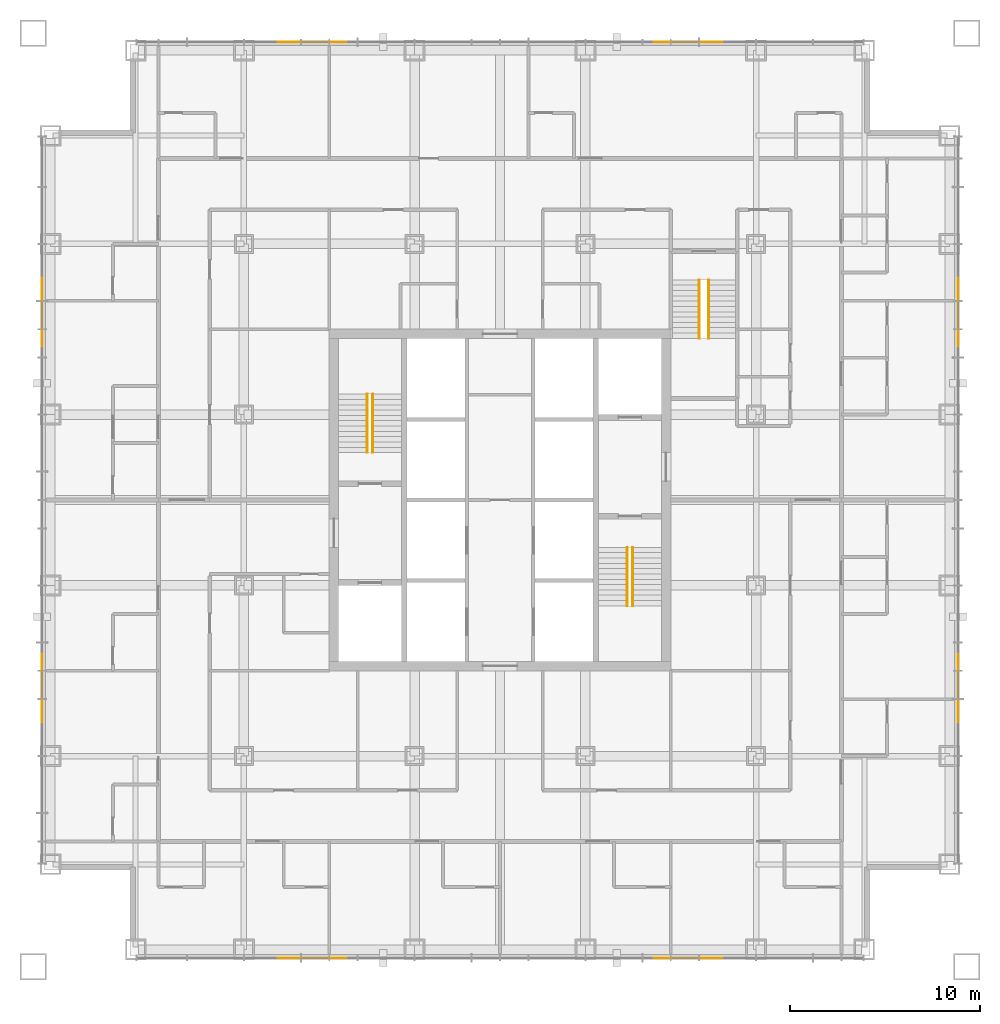
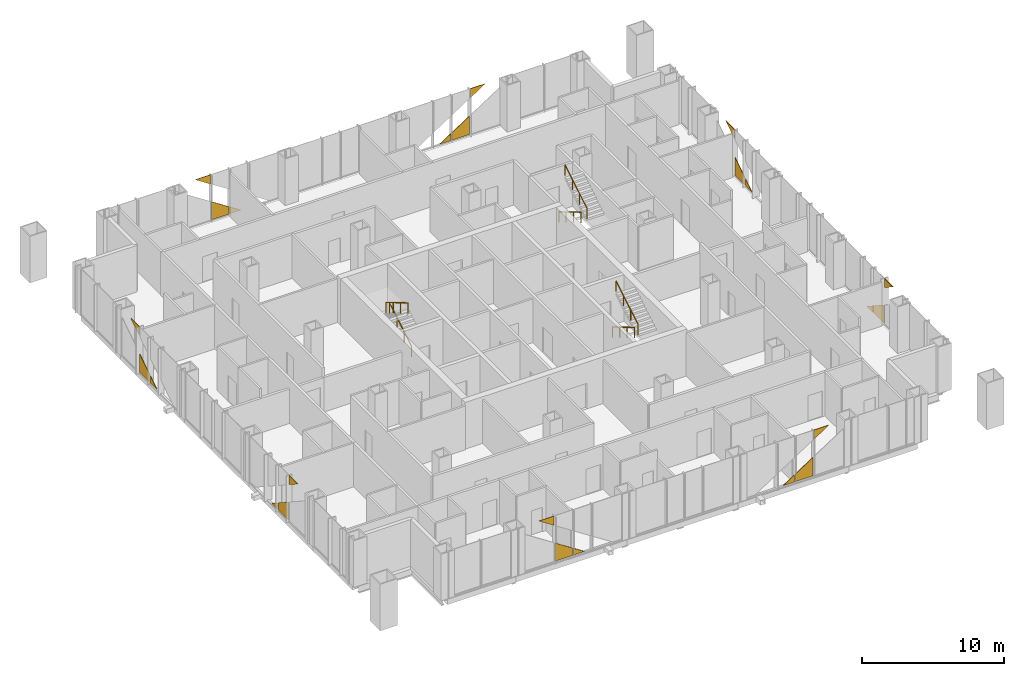
# One storey, part 13 of 13: 24 coverings, 6 railings.
"""IFC4 building model written with IfcOpenShell, lengths in metres."""

from ifc_helpers import new_model, si_unit, direction, frame, origin, origin_2d, place, context, subcontext, project, spatial, polyline, circle, outline, extrude, material, layer, layer_set, type_object, element, save


model = new_model("IFC4")

# Units and contexts
model_context = context("Model", 3, precision=1e-05, world=origin(), true_north=direction((0.0, 1.0)))
body_context = subcontext(model_context, "Body", "Model", "MODEL_VIEW")
ifc_project = project(units=[si_unit("LENGTHUNIT", "METRE"), si_unit("AREAUNIT", "SQUARE_METRE"), si_unit("VOLUMEUNIT", "CUBIC_METRE"), si_unit("PLANEANGLEUNIT", "RADIAN"), si_unit("MASSUNIT", "GRAM", prefix="KILO")], contexts=[model_context])

# Site, building, storey
site_placement = place(None, origin())
site = spatial("IfcSite", under=ifc_project, at=site_placement, CompositionType="ELEMENT")
building_placement = place(site_placement, origin())
building = spatial("IfcBuilding", under=site, at=building_placement, Name="Malebo Sky Hospital", CompositionType="ELEMENT")
storey_placement = place(building_placement, frame((0.0, 0.0, 160.0)))
storey = spatial("IfcBuildingStorey", under=building, at=storey_placement, Name="L38", CompositionType="ELEMENT", Elevation=160.0)

# Coverings
ifc_material_1 = material(Name="Anodised aluminium, natural silver insulated infill panel", Category="aluminium")
ifc_layer = layer(ifc_material_1, 0.0400390625)
ifc_layer_set = layer_set([ifc_layer], Name="BRACE INFILL PANEL 40")
covering_type = type_object("IfcCoveringType", Name="BRACE INFILL PANEL 40", PredefinedType="CLADDING", material=ifc_layer_set)
covering_1_placement = place(storey_placement, frame((48.85498046875, 86.135009765625, 3.199951171875), z_axis=(0.0, 0.0, 1.0), x_axis=(1.0, 0.0, 0.0)))
element("IfcCovering", 1, at=covering_1_placement, inside=storey, type_object=covering_type, Name="Brace infill panel 4.1", PredefinedType="CLADDING", context=body_context, shape_type="SweptSolid", body=[
    extrude(outline(polyline([(0.607421875, 0.0), (0.607421875, 0.7900390625), (-0.607421875, 0.7900390625), (0.607421875, 0.0)])), frame((0.0, 0.02001953125, 0.0), z_axis=(0.0, -1.0, 0.0), x_axis=(1.0, 0.0, 0.0)), (0.0, 0.0, 1.0), 0.0400390625),
])
covering_2_placement = place(storey_placement, frame((50.25, 86.135009765625, 0.10009765625), z_axis=(0.0, 0.0, 1.0), x_axis=(1.0, 0.0, 0.0)))
element("IfcCovering", 2, at=covering_2_placement, inside=storey, type_object=covering_type, Name="Brace infill panel 5.1", PredefinedType="CLADDING", context=body_context, shape_type="SweptSolid", body=[
    extrude(outline(polyline([(-0.71240234375, 0.0), (0.71240234375, 0.0), (0.71240234375, 0.632080078125), (-0.71240234375, 1.558837890625), (-0.71240234375, 0.0)])), frame((0.0, 0.02001953125, 0.0), z_axis=(0.0, -1.0, 0.0), x_axis=(1.0, 0.0, 0.0)), (0.0, 0.0, 1.0), 0.0400390625),
])
covering_3_placement = place(storey_placement, frame((51.48583984375, 86.135009765625, 0.10009765625), z_axis=(0.0, 0.0, 1.0), x_axis=(1.0, 0.0, 0.0)))
element("IfcCovering", 3, at=covering_3_placement, inside=storey, type_object=covering_type, Name="Brace infill panel 6.1", PredefinedType="CLADDING", context=body_context, shape_type="SweptSolid", body=[
    extrude(outline(polyline([(-0.4482421875, 0.0), (0.4482421875, 0.0), (-0.4482421875, 0.583251953125), (-0.4482421875, 0.0)])), frame((0.0, 0.02001953125, 0.0), z_axis=(0.0, -1.0, 0.0), x_axis=(1.0, 0.0, 0.0)), (0.0, 0.0, 1.0), 0.0400390625),
])
covering_4_placement = place(storey_placement, frame((68.51416015625, 86.135009765625, 0.10009765625), z_axis=(0.0, 0.0, 1.0), x_axis=(1.0, 0.0, 0.0)))
element("IfcCovering", 4, at=covering_4_placement, inside=storey, type_object=covering_type, Name="Brace infill panel 13.1", PredefinedType="CLADDING", context=body_context, shape_type="SweptSolid", body=[
    extrude(outline(polyline([(-0.4482421875, 0.0), (0.4482421875, 0.0), (0.4482421875, 0.583251953125), (-0.4482421875, 0.0)])), frame((0.0, 0.02001953125, 0.0), z_axis=(0.0, -1.0, 0.0), x_axis=(1.0, 0.0, 0.0)), (0.0, 0.0, 1.0), 0.0400390625),
])
covering_5_placement = place(storey_placement, frame((69.75, 86.135009765625, 0.10009765625), z_axis=(0.0, 0.0, 1.0), x_axis=(1.0, 0.0, 0.0)))
element("IfcCovering", 5, at=covering_5_placement, inside=storey, type_object=covering_type, Name="Brace infill panel 14.1", PredefinedType="CLADDING", context=body_context, shape_type="SweptSolid", body=[
    extrude(outline(polyline([(-0.71240234375, 0.0), (0.71240234375, 0.0), (0.71240234375, 1.558837890625), (-0.71240234375, 0.632080078125), (-0.71240234375, 0.0)])), frame((0.0, 0.02001953125, 0.0), z_axis=(0.0, -1.0, 0.0), x_axis=(1.0, 0.0, 0.0)), (0.0, 0.0, 1.0), 0.0400390625),
])
covering_6_placement = place(storey_placement, frame((71.14501953125, 86.135009765625, 3.199951171875), z_axis=(0.0, 0.0, 1.0), x_axis=(1.0, 0.0, 0.0)))
element("IfcCovering", 6, at=covering_6_placement, inside=storey, type_object=covering_type, Name="Brace infill panel 15.1", PredefinedType="CLADDING", context=body_context, shape_type="SweptSolid", body=[
    extrude(outline(polyline([(-0.607421875, 0.0), (0.607421875, 0.7900390625), (-0.607421875, 0.7900390625), (-0.607421875, 0.0)])), frame((0.0, 0.02001953125, 0.0), z_axis=(0.0, -1.0, 0.0), x_axis=(1.0, 0.0, 0.0)), (0.0, 0.0, 1.0), 0.0400390625),
])
covering_7_placement = place(storey_placement, frame((35.864990234375, 50.85498046875, 3.199951171875), z_axis=(0.0, 0.0, 1.0), x_axis=(0.0, 1.0, 0.0)))
element("IfcCovering", 7, at=covering_7_placement, inside=storey, type_object=covering_type, Name="Brace infill panel 4.1", PredefinedType="CLADDING", context=body_context, shape_type="SweptSolid", body=[
    extrude(outline(polyline([(0.607421875, 0.0), (0.607421875, 0.7900390625), (-0.607421875, 0.7900390625), (0.607421875, 0.0)])), frame((0.0, 0.02001953125, 0.0), z_axis=(0.0, -1.0, 0.0), x_axis=(1.0, 0.0, 0.0)), (0.0, 0.0, 1.0), 0.0400390625),
])
covering_8_placement = place(storey_placement, frame((35.864990234375, 52.25, 0.10009765625), z_axis=(0.0, 0.0, 1.0), x_axis=(0.0, 1.0, 0.0)))
element("IfcCovering", 8, at=covering_8_placement, inside=storey, type_object=covering_type, Name="Brace infill panel 5.1", PredefinedType="CLADDING", context=body_context, shape_type="SweptSolid", body=[
    extrude(outline(polyline([(-0.71240234375, 0.0), (0.71240234375, 0.0), (0.71240234375, 0.632080078125), (-0.71240234375, 1.558837890625), (-0.71240234375, 0.0)])), frame((0.0, 0.02001953125, 0.0), z_axis=(0.0, -1.0, 0.0), x_axis=(1.0, 0.0, 0.0)), (0.0, 0.0, 1.0), 0.0400390625),
])
covering_9_placement = place(storey_placement, frame((35.864990234375, 53.48583984375, 0.10009765625), z_axis=(0.0, 0.0, 1.0), x_axis=(0.0, 1.0, 0.0)))
element("IfcCovering", 9, at=covering_9_placement, inside=storey, type_object=covering_type, Name="Brace infill panel 6.1", PredefinedType="CLADDING", context=body_context, shape_type="SweptSolid", body=[
    extrude(outline(polyline([(-0.4482421875, 0.0), (0.4482421875, 0.0), (-0.4482421875, 0.583251953125), (-0.4482421875, 0.0)])), frame((0.0, 0.02001953125, 0.0), z_axis=(0.0, -1.0, 0.0), x_axis=(1.0, 0.0, 0.0)), (0.0, 0.0, 1.0), 0.0400390625),
])
covering_10_placement = place(storey_placement, frame((35.864990234375, 70.51416015625, 0.10009765625), z_axis=(0.0, 0.0, 1.0), x_axis=(0.0, 1.0, 0.0)))
element("IfcCovering", 10, at=covering_10_placement, inside=storey, type_object=covering_type, Name="Brace infill panel 13.1", PredefinedType="CLADDING", context=body_context, shape_type="SweptSolid", body=[
    extrude(outline(polyline([(-0.4482421875, 0.0), (0.4482421875, 0.0), (0.4482421875, 0.583251953125), (-0.4482421875, 0.0)])), frame((0.0, 0.02001953125, 0.0), z_axis=(0.0, -1.0, 0.0), x_axis=(1.0, 0.0, 0.0)), (0.0, 0.0, 1.0), 0.0400390625),
])
covering_11_placement = place(storey_placement, frame((35.864990234375, 71.75, 0.10009765625), z_axis=(0.0, 0.0, 1.0), x_axis=(0.0, 1.0, 0.0)))
element("IfcCovering", 11, at=covering_11_placement, inside=storey, type_object=covering_type, Name="Brace infill panel 14.1", PredefinedType="CLADDING", context=body_context, shape_type="SweptSolid", body=[
    extrude(outline(polyline([(-0.71240234375, 0.0), (0.71240234375, 0.0), (0.71240234375, 1.558837890625), (-0.71240234375, 0.632080078125), (-0.71240234375, 0.0)])), frame((0.0, 0.02001953125, 0.0), z_axis=(0.0, -1.0, 0.0), x_axis=(1.0, 0.0, 0.0)), (0.0, 0.0, 1.0), 0.0400390625),
])
covering_12_placement = place(storey_placement, frame((35.864990234375, 73.14501953125, 3.199951171875), z_axis=(0.0, 0.0, 1.0), x_axis=(0.0, 1.0, 0.0)))
element("IfcCovering", 12, at=covering_12_placement, inside=storey, type_object=covering_type, Name="Brace infill panel 15.1", PredefinedType="CLADDING", context=body_context, shape_type="SweptSolid", body=[
    extrude(outline(polyline([(-0.607421875, 0.0), (0.607421875, 0.7900390625), (-0.607421875, 0.7900390625), (-0.607421875, 0.0)])), frame((0.0, 0.02001953125, 0.0), z_axis=(0.0, -1.0, 0.0), x_axis=(1.0, 0.0, 0.0)), (0.0, 0.0, 1.0), 0.0400390625),
])
covering_13_placement = place(storey_placement, frame((71.14501953125, 37.864990234375, 3.199951171875), z_axis=(0.0, 0.0, 1.0), x_axis=(-1.0, 0.0, 0.0)))
element("IfcCovering", 13, at=covering_13_placement, inside=storey, type_object=covering_type, Name="Brace infill panel 4.1", PredefinedType="CLADDING", context=body_context, shape_type="SweptSolid", body=[
    extrude(outline(polyline([(0.607421875, 0.0), (0.607421875, 0.7900390625), (-0.607421875, 0.7900390625), (0.607421875, 0.0)])), frame((0.0, 0.02001953125, 0.0), z_axis=(0.0, -1.0, 0.0), x_axis=(1.0, 0.0, 0.0)), (0.0, 0.0, 1.0), 0.0400390625),
])
covering_14_placement = place(storey_placement, frame((69.75, 37.864990234375, 0.10009765625), z_axis=(0.0, 0.0, 1.0), x_axis=(-1.0, 0.0, 0.0)))
element("IfcCovering", 14, at=covering_14_placement, inside=storey, type_object=covering_type, Name="Brace infill panel 5.1", PredefinedType="CLADDING", context=body_context, shape_type="SweptSolid", body=[
    extrude(outline(polyline([(-0.71240234375, 0.0), (0.71240234375, 0.0), (0.71240234375, 0.632080078125), (-0.71240234375, 1.558837890625), (-0.71240234375, 0.0)])), frame((0.0, 0.02001953125, 0.0), z_axis=(0.0, -1.0, 0.0), x_axis=(1.0, 0.0, 0.0)), (0.0, 0.0, 1.0), 0.0400390625),
])
covering_15_placement = place(storey_placement, frame((68.51416015625, 37.864990234375, 0.10009765625), z_axis=(0.0, 0.0, 1.0), x_axis=(-1.0, 0.0, 0.0)))
element("IfcCovering", 15, at=covering_15_placement, inside=storey, type_object=covering_type, Name="Brace infill panel 6.1", PredefinedType="CLADDING", context=body_context, shape_type="SweptSolid", body=[
    extrude(outline(polyline([(-0.4482421875, 0.0), (0.4482421875, 0.0), (-0.4482421875, 0.583251953125), (-0.4482421875, 0.0)])), frame((0.0, 0.02001953125, 0.0), z_axis=(0.0, -1.0, 0.0), x_axis=(1.0, 0.0, 0.0)), (0.0, 0.0, 1.0), 0.0400390625),
])
covering_16_placement = place(storey_placement, frame((51.48583984375, 37.864990234375, 0.10009765625), z_axis=(0.0, 0.0, 1.0), x_axis=(-1.0, 0.0, 0.0)))
element("IfcCovering", 16, at=covering_16_placement, inside=storey, type_object=covering_type, Name="Brace infill panel 13.1", PredefinedType="CLADDING", context=body_context, shape_type="SweptSolid", body=[
    extrude(outline(polyline([(-0.4482421875, 0.0), (0.4482421875, 0.0), (0.4482421875, 0.583251953125), (-0.4482421875, 0.0)])), frame((0.0, 0.02001953125, 0.0), z_axis=(0.0, -1.0, 0.0), x_axis=(1.0, 0.0, 0.0)), (0.0, 0.0, 1.0), 0.0400390625),
])
covering_17_placement = place(storey_placement, frame((50.25, 37.864990234375, 0.10009765625), z_axis=(0.0, 0.0, 1.0), x_axis=(-1.0, 0.0, 0.0)))
element("IfcCovering", 17, at=covering_17_placement, inside=storey, type_object=covering_type, Name="Brace infill panel 14.1", PredefinedType="CLADDING", context=body_context, shape_type="SweptSolid", body=[
    extrude(outline(polyline([(-0.71240234375, 0.0), (0.71240234375, 0.0), (0.71240234375, 1.558837890625), (-0.71240234375, 0.632080078125), (-0.71240234375, 0.0)])), frame((0.0, 0.02001953125, 0.0), z_axis=(0.0, -1.0, 0.0), x_axis=(1.0, 0.0, 0.0)), (0.0, 0.0, 1.0), 0.0400390625),
])
covering_18_placement = place(storey_placement, frame((48.85498046875, 37.864990234375, 3.199951171875), z_axis=(0.0, 0.0, 1.0), x_axis=(-1.0, 0.0, 0.0)))
element("IfcCovering", 18, at=covering_18_placement, inside=storey, type_object=covering_type, Name="Brace infill panel 15.1", PredefinedType="CLADDING", context=body_context, shape_type="SweptSolid", body=[
    extrude(outline(polyline([(-0.607421875, 0.0), (0.607421875, 0.7900390625), (-0.607421875, 0.7900390625), (-0.607421875, 0.0)])), frame((0.0, 0.02001953125, 0.0), z_axis=(0.0, -1.0, 0.0), x_axis=(1.0, 0.0, 0.0)), (0.0, 0.0, 1.0), 0.0400390625),
])
covering_19_placement = place(storey_placement, frame((84.135009765625, 73.14501953125, 3.199951171875), z_axis=(0.0, 0.0, 1.0), x_axis=(0.0, -1.0, 0.0)))
element("IfcCovering", 19, at=covering_19_placement, inside=storey, type_object=covering_type, Name="Brace infill panel 4.1", PredefinedType="CLADDING", context=body_context, shape_type="SweptSolid", body=[
    extrude(outline(polyline([(0.607421875, 0.0), (0.607421875, 0.7900390625), (-0.607421875, 0.7900390625), (0.607421875, 0.0)])), frame((0.0, 0.02001953125, 0.0), z_axis=(0.0, -1.0, 0.0), x_axis=(1.0, 0.0, 0.0)), (0.0, 0.0, 1.0), 0.0400390625),
])
covering_20_placement = place(storey_placement, frame((84.135009765625, 71.75, 0.10009765625), z_axis=(0.0, 0.0, 1.0), x_axis=(0.0, -1.0, 0.0)))
element("IfcCovering", 20, at=covering_20_placement, inside=storey, type_object=covering_type, Name="Brace infill panel 5.1", PredefinedType="CLADDING", context=body_context, shape_type="SweptSolid", body=[
    extrude(outline(polyline([(-0.71240234375, 0.0), (0.71240234375, 0.0), (0.71240234375, 0.632080078125), (-0.71240234375, 1.558837890625), (-0.71240234375, 0.0)])), frame((0.0, 0.02001953125, 0.0), z_axis=(0.0, -1.0, 0.0), x_axis=(1.0, 0.0, 0.0)), (0.0, 0.0, 1.0), 0.0400390625),
])
covering_21_placement = place(storey_placement, frame((84.135009765625, 70.51416015625, 0.10009765625), z_axis=(0.0, 0.0, 1.0), x_axis=(0.0, -1.0, 0.0)))
element("IfcCovering", 21, at=covering_21_placement, inside=storey, type_object=covering_type, Name="Brace infill panel 6.1", PredefinedType="CLADDING", context=body_context, shape_type="SweptSolid", body=[
    extrude(outline(polyline([(-0.4482421875, 0.0), (0.4482421875, 0.0), (-0.4482421875, 0.583251953125), (-0.4482421875, 0.0)])), frame((0.0, 0.02001953125, 0.0), z_axis=(0.0, -1.0, 0.0), x_axis=(1.0, 0.0, 0.0)), (0.0, 0.0, 1.0), 0.0400390625),
])
covering_22_placement = place(storey_placement, frame((84.135009765625, 53.48583984375, 0.10009765625), z_axis=(0.0, 0.0, 1.0), x_axis=(0.0, -1.0, 0.0)))
element("IfcCovering", 22, at=covering_22_placement, inside=storey, type_object=covering_type, Name="Brace infill panel 13.1", PredefinedType="CLADDING", context=body_context, shape_type="SweptSolid", body=[
    extrude(outline(polyline([(-0.4482421875, 0.0), (0.4482421875, 0.0), (0.4482421875, 0.583251953125), (-0.4482421875, 0.0)])), frame((0.0, 0.02001953125, 0.0), z_axis=(0.0, -1.0, 0.0), x_axis=(1.0, 0.0, 0.0)), (0.0, 0.0, 1.0), 0.0400390625),
])
covering_23_placement = place(storey_placement, frame((84.135009765625, 52.25, 0.10009765625), z_axis=(0.0, 0.0, 1.0), x_axis=(0.0, -1.0, 0.0)))
element("IfcCovering", 23, at=covering_23_placement, inside=storey, type_object=covering_type, Name="Brace infill panel 14.1", PredefinedType="CLADDING", context=body_context, shape_type="SweptSolid", body=[
    extrude(outline(polyline([(-0.71240234375, 0.0), (0.71240234375, 0.0), (0.71240234375, 1.558837890625), (-0.71240234375, 0.632080078125), (-0.71240234375, 0.0)])), frame((0.0, 0.02001953125, 0.0), z_axis=(0.0, -1.0, 0.0), x_axis=(1.0, 0.0, 0.0)), (0.0, 0.0, 1.0), 0.0400390625),
])
covering_24_placement = place(storey_placement, frame((84.135009765625, 50.85498046875, 3.199951171875), z_axis=(0.0, 0.0, 1.0), x_axis=(0.0, -1.0, 0.0)))
element("IfcCovering", 24, at=covering_24_placement, inside=storey, type_object=covering_type, Name="Brace infill panel 15.1", PredefinedType="CLADDING", context=body_context, shape_type="SweptSolid", body=[
    extrude(outline(polyline([(-0.607421875, 0.0), (0.607421875, 0.7900390625), (-0.607421875, 0.7900390625), (-0.607421875, 0.0)])), frame((0.0, 0.02001953125, 0.0), z_axis=(0.0, -1.0, 0.0), x_axis=(1.0, 0.0, 0.0)), (0.0, 0.0, 1.0), 0.0400390625),
])

# Railings
ifc_material_2 = material(Name="Stainless steel tube", Category="steel")
railing_type = type_object("IfcRailingType", Name="STAIR HANDRAIL 900", PredefinedType="HANDRAIL", material=ifc_material_2)
railing_1_placement = place(storey_placement, frame((53.300048828125, 64.5, 0.166748046875)))
element("IfcRailing", 25, at=railing_1_placement, inside=storey, type_object=railing_type, Name="Stair handrail S1 flight 1", PredefinedType="HANDRAIL", context=body_context, shape_type="SweptSolid", body=[
    extrude(circle(Radius=0.02392578125, at=origin_2d()), frame((0.0, 0.0, 0.8759765625), z_axis=(0.0, 0.859308565015, 0.511457515432), x_axis=(-1.0, 0.0, 0.0)), (0.0, 0.0, 1.0), 3.58447265625),
    extrude(circle(Radius=0.02099609375, at=origin_2d()), origin(), (0.0, 0.0, 1.0), 0.851806640625),
    extrude(circle(Radius=0.02099609375, at=origin_2d()), frame((0.0, 1.026611328125, 0.611083984375)), (0.0, 0.0, 1.0), 0.851806640625),
    extrude(circle(Radius=0.02099609375, at=origin_2d()), frame((0.0, 2.053466796875, 1.22216796875)), (0.0, 0.0, 1.0), 0.851806640625),
    extrude(circle(Radius=0.02099609375, at=origin_2d()), frame((0.0, 3.080078125, 1.833251953125)), (0.0, 0.0, 1.0), 0.851806640625),
])
for number, where, name in (
    (26, (53.0, 67.580078125, 2.166748046875), "Stair handrail S1 flight 2"),
    (27, (66.699951171875, 59.5, 0.166748046875), "Stair handrail S2 flight 1"),
):
    element("IfcRailing", number, at=place(storey_placement, frame(where)), inside=storey, type_object=railing_type, Name=name, PredefinedType="HANDRAIL", context=body_context, shape_type="SweptSolid", body=[
        extrude(circle(Radius=0.02392578125, at=origin_2d()), frame((0.0, 0.0, 0.8759765625), z_axis=(0.0, -0.859308565015, 0.511457515432), x_axis=(1.0, 0.0, 0.0)), (0.0, 0.0, 1.0), 3.58447265625),
        extrude(circle(Radius=0.02099609375, at=origin_2d()), origin(), (0.0, 0.0, 1.0), 0.851806640625),
        extrude(circle(Radius=0.02099609375, at=origin_2d()), frame((0.0, -1.026611328125, 0.611083984375)), (0.0, 0.0, 1.0), 0.851806640625),
        extrude(circle(Radius=0.02099609375, at=origin_2d()), frame((0.0, -2.053466796875, 1.22216796875)), (0.0, 0.0, 1.0), 0.851806640625),
        extrude(circle(Radius=0.02099609375, at=origin_2d()), frame((0.0, -3.080078125, 1.833251953125)), (0.0, 0.0, 1.0), 0.851806640625),
    ])
railing_2_placement = place(storey_placement, frame((67.0, 56.419921875, 2.166748046875)))
element("IfcRailing", 28, at=railing_2_placement, inside=storey, type_object=railing_type, Name="Stair handrail S2 flight 2", PredefinedType="HANDRAIL", context=body_context, shape_type="SweptSolid", body=[
    extrude(circle(Radius=0.02392578125, at=origin_2d()), frame((0.0, 0.0, 0.8759765625), z_axis=(0.0, 0.859308565015, 0.511457515432), x_axis=(-1.0, 0.0, 0.0)), (0.0, 0.0, 1.0), 3.58447265625),
    extrude(circle(Radius=0.02099609375, at=origin_2d()), origin(), (0.0, 0.0, 1.0), 0.851806640625),
    extrude(circle(Radius=0.02099609375, at=origin_2d()), frame((0.0, 1.026611328125, 0.611083984375)), (0.0, 0.0, 1.0), 0.851806640625),
    extrude(circle(Radius=0.02099609375, at=origin_2d()), frame((0.0, 2.053466796875, 1.22216796875)), (0.0, 0.0, 1.0), 0.851806640625),
    extrude(circle(Radius=0.02099609375, at=origin_2d()), frame((0.0, 3.080078125, 1.833251953125)), (0.0, 0.0, 1.0), 0.851806640625),
])
railing_3_placement = place(storey_placement, frame((70.5, 73.60009765625, 0.166748046875)))
element("IfcRailing", 29, at=railing_3_placement, inside=storey, type_object=railing_type, Name="Stair handrail S3 flight 1", PredefinedType="HANDRAIL", context=body_context, shape_type="SweptSolid", body=[
    extrude(circle(Radius=0.02392578125, at=origin_2d()), frame((0.0, 0.0, 0.8759765625), z_axis=(0.0, -0.859308565015, 0.511457515432), x_axis=(1.0, 0.0, 0.0)), (0.0, 0.0, 1.0), 3.58447265625),
    extrude(circle(Radius=0.02099609375, at=origin_2d()), origin(), (0.0, 0.0, 1.0), 0.851806640625),
    extrude(circle(Radius=0.02099609375, at=origin_2d()), frame((0.0, -1.026611328125, 0.611083984375)), (0.0, 0.0, 1.0), 0.851806640625),
    extrude(circle(Radius=0.02099609375, at=origin_2d()), frame((0.0, -2.053466796875, 1.22216796875)), (0.0, 0.0, 1.0), 0.851806640625),
    extrude(circle(Radius=0.02099609375, at=origin_2d()), frame((0.0, -3.080078125, 1.833251953125)), (0.0, 0.0, 1.0), 0.851806640625),
])
railing_4_placement = place(storey_placement, frame((71.0, 70.52001953125, 2.166748046875)))
element("IfcRailing", 30, at=railing_4_placement, inside=storey, type_object=railing_type, Name="Stair handrail S3 flight 2", PredefinedType="HANDRAIL", context=body_context, shape_type="SweptSolid", body=[
    extrude(circle(Radius=0.02392578125, at=origin_2d()), frame((0.0, 0.0, 0.8759765625), z_axis=(0.0, 0.859308565015, 0.511457515432), x_axis=(-1.0, 0.0, 0.0)), (0.0, 0.0, 1.0), 3.58447265625),
    extrude(circle(Radius=0.02099609375, at=origin_2d()), origin(), (0.0, 0.0, 1.0), 0.851806640625),
    extrude(circle(Radius=0.02099609375, at=origin_2d()), frame((0.0, 1.026611328125, 0.611083984375)), (0.0, 0.0, 1.0), 0.851806640625),
    extrude(circle(Radius=0.02099609375, at=origin_2d()), frame((0.0, 2.053466796875, 1.22216796875)), (0.0, 0.0, 1.0), 0.851806640625),
    extrude(circle(Radius=0.02099609375, at=origin_2d()), frame((0.0, 3.080078125, 1.833251953125)), (0.0, 0.0, 1.0), 0.851806640625),
])

save(model, "model.ifc")
